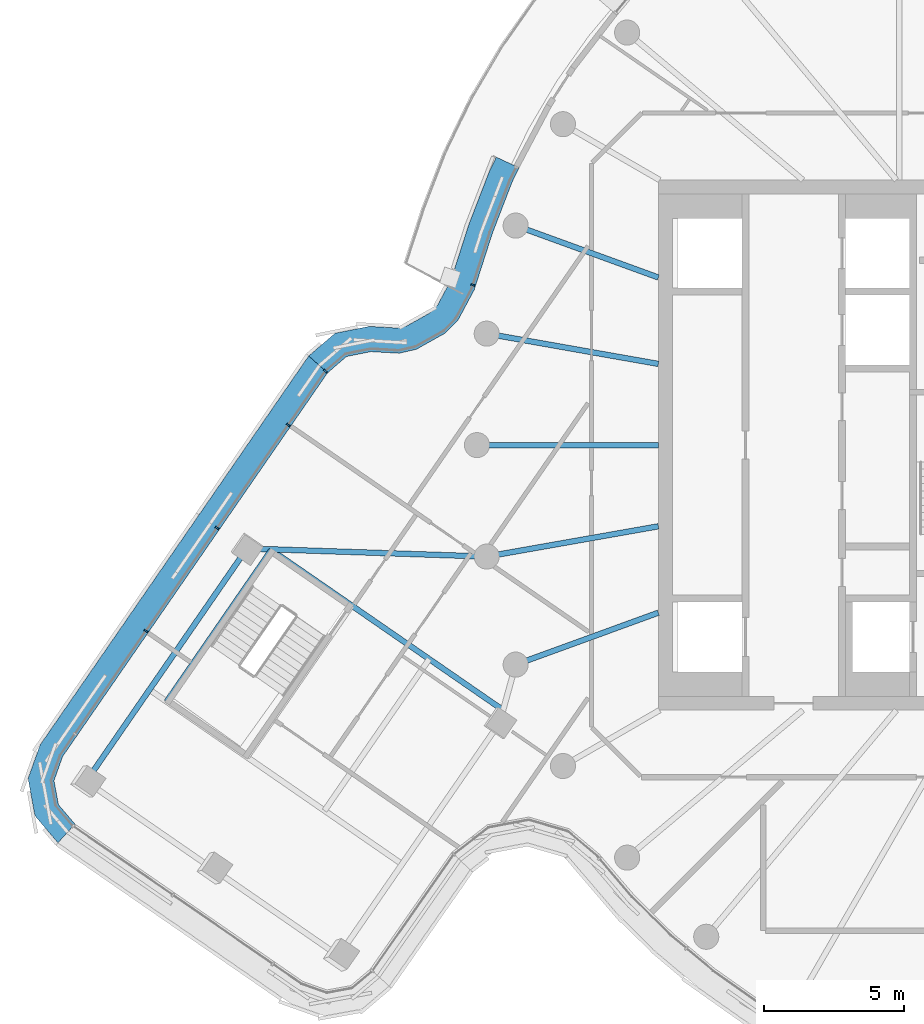
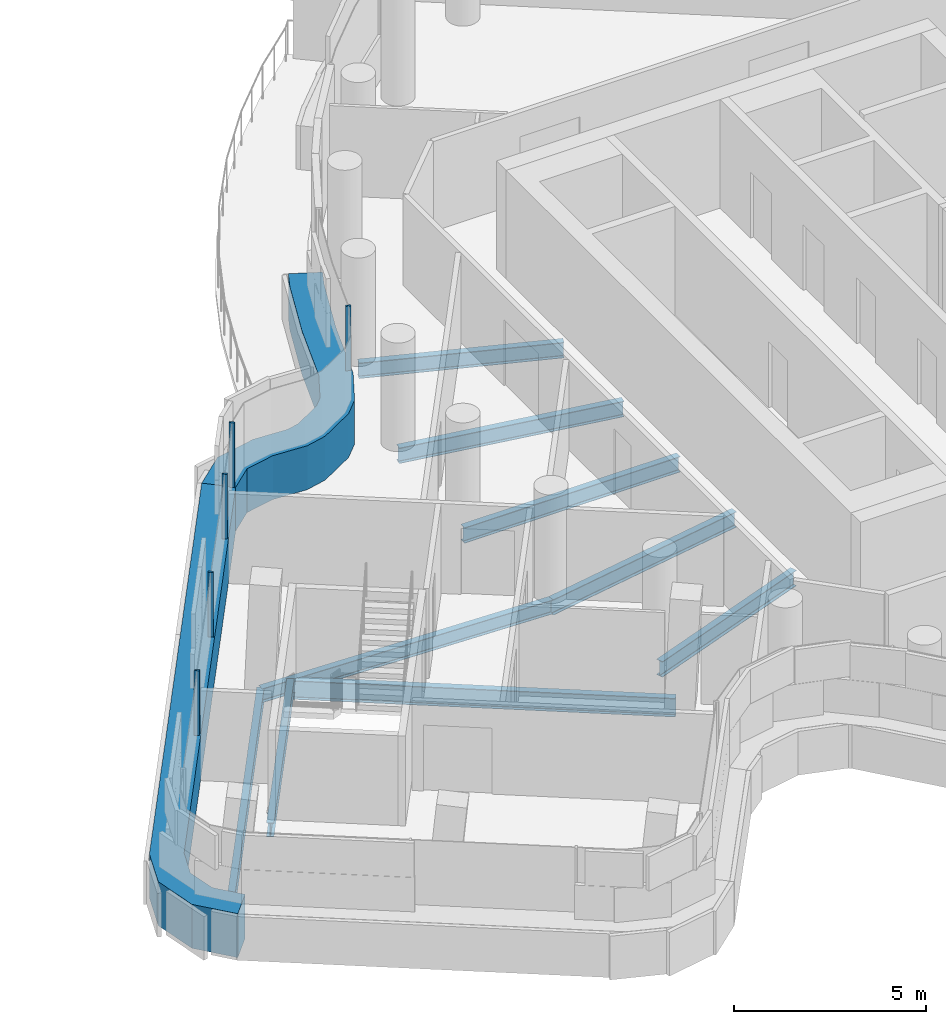
# One storey, part 4 of 26: 9 beams, 7 members, 2 elements without a shape of their own.
"""IFC4 building model written with IfcOpenShell, lengths in metres."""

from ifc_helpers import new_model, si_unit, direction, frame, origin, origin_2d, place, context, subcontext, project, spatial, polyline, rectangle, i_section, outline, extrude, material, layer, layer_set, material_profile, profile_set, type_object, element, aggregate, save


model = new_model("IFC4")

# Units and contexts
model_context = context("Model", 3, precision=1e-05, world=origin(), true_north=direction((0.0, 1.0)))
body_context = subcontext(model_context, "Body", "Model", "MODEL_VIEW")
ifc_project = project(units=[si_unit("LENGTHUNIT", "METRE"), si_unit("AREAUNIT", "SQUARE_METRE"), si_unit("VOLUMEUNIT", "CUBIC_METRE"), si_unit("PLANEANGLEUNIT", "RADIAN"), si_unit("MASSUNIT", "GRAM", prefix="KILO")], contexts=[model_context])

# Site, building, storey
site_placement = place(None, origin())
site = spatial("IfcSite", under=ifc_project, at=site_placement, CompositionType="ELEMENT")
building_placement = place(site_placement, origin())
building = spatial("IfcBuilding", under=site, at=building_placement, Name="Tamarind Cross Interchange Tower", CompositionType="ELEMENT")
storey_placement = place(building_placement, frame((0.0, 0.0, 234.300048828125)))
storey = spatial("IfcBuildingStorey", under=building, at=storey_placement, Name="L59", CompositionType="ELEMENT", Elevation=234.300048828125)

# Beams
ifc_material_1 = material(Name="Steel Q355B", Category="steel")
ifc_material_profile_1 = material_profile(ifc_material_1, i_section(OverallWidth=0.198974609375, OverallDepth=0.446044921875, WebThickness=0.008056640625, FlangeThickness=0.011962890625, FilletRadius=0.012939453125, at=origin_2d()), Name="HN 446x199x8x12")
ifc_profile_set_1 = profile_set([ifc_material_profile_1], Name="Steel Q355B")
beam_type_1 = type_object("IfcBeamType", Name="Composite beam HN 446x199x8x12 Q355B", PredefinedType="BEAM", material=ifc_profile_set_1)
beam_1_placement = place(storey_placement, frame((-37.005615234375, -12.0517578125, -0.363037109375), z_axis=(0.568212059893, 0.822882163491, 0.0), x_axis=(-0.822882163491, 0.568212059893, 0.0)))
element("IfcBeam", 1, at=beam_1_placement, inside=storey, type_object=beam_type_1, Name="Beam W-edgeem4", PredefinedType="BEAM", context=body_context, shape_type="SweptSolid", body=[
    extrude(i_section(OverallWidth=0.198974609375, OverallDepth=0.446044921875, WebThickness=0.008056640625, FlangeThickness=0.011962890625, FilletRadius=0.012939453125, at=origin_2d()), origin(), (0.0, 0.0, 1.0), 10.1435546875),
])
beam_2_placement = place(storey_placement, frame((-31.241943359375, -3.704833984375, -0.363037109375), z_axis=(0.999434456084, -0.03362689389, 0.0), x_axis=(0.03362689389, 0.999434456084, 0.0)))
element("IfcBeam", 2, at=beam_2_placement, inside=storey, type_object=beam_type_1, Name="Beam W-linkem", PredefinedType="BEAM", context=body_context, shape_type="SweptSolid", body=[
    extrude(i_section(OverallWidth=0.198974609375, OverallDepth=0.446044921875, WebThickness=0.008056640625, FlangeThickness=0.011962890625, FilletRadius=0.012939453125, at=origin_2d()), origin(), (0.0, 0.0, 1.0), 8.59619140625),
])
beam_3_placement = place(storey_placement, frame((-30.369140625, -3.7607421875, -0.363037109375), z_axis=(-0.568224711754, -0.822873427054, 0.0), x_axis=(0.822873427054, -0.568224711754, 0.0)))
element("IfcBeam", 3, at=beam_3_placement, inside=storey, type_object=beam_type_1, Name="Beam W-tr0", PredefinedType="BEAM", context=body_context, shape_type="SweptSolid", body=[
    extrude(i_section(OverallWidth=0.198974609375, OverallDepth=0.446044921875, WebThickness=0.008056640625, FlangeThickness=0.011962890625, FilletRadius=0.012939453125, at=origin_2d()), origin(), (0.0, 0.0, 1.0), 6.599853515625),
])
ifc_material_profile_2 = material_profile(ifc_material_1, i_section(OverallWidth=0.198974609375, OverallDepth=0.49609375, WebThickness=0.009033203125, FlangeThickness=0.013916015625, FilletRadius=0.012939453125, at=origin_2d()), Name="HN 496x199x9x14")
ifc_profile_set_2 = profile_set([ifc_material_profile_2], Name="Steel Q355B")
beam_type_2 = type_object("IfcBeamType", Name="Composite beam HN 496x199x9x14 Q355B", PredefinedType="BEAM", material=ifc_profile_set_2)
beam_4_placement = place(storey_placement, frame((-21.613037109375, 7.866455078125, -0.387939453125), z_axis=(0.939701685589, -0.341995236956, 0.0), x_axis=(0.341995236956, 0.939701685589, 0.0)))
element("IfcBeam", 4, at=beam_4_placement, inside=storey, type_object=beam_type_2, Name="Beam HH16", PredefinedType="BEAM", context=body_context, shape_type="SweptSolid", body=[
    extrude(i_section(OverallWidth=0.198974609375, OverallDepth=0.49609375, WebThickness=0.009033203125, FlangeThickness=0.013916015625, FilletRadius=0.012939453125, at=origin_2d()), origin(), (0.0, 0.0, 1.0), 5.441162109375),
])
beam_5_placement = place(storey_placement, frame((-22.650634765625, 3.993896484375, -0.387939453125), z_axis=(0.984809127561, -0.173640382036, 0.0), x_axis=(0.173640382036, 0.984809127561, 0.0)))
element("IfcBeam", 5, at=beam_5_placement, inside=storey, type_object=beam_type_2, Name="Beam HH17", PredefinedType="BEAM", context=body_context, shape_type="SweptSolid", body=[
    extrude(i_section(OverallWidth=0.198974609375, OverallDepth=0.49609375, WebThickness=0.009033203125, FlangeThickness=0.013916015625, FilletRadius=0.012939453125, at=origin_2d()), origin(), (0.0, 0.0, 1.0), 6.24560546875),
])
beam_6_placement = place(storey_placement, frame((-23.0, 0.0, -0.387939453125), z_axis=(1.0, 0.0, 0.0), x_axis=(0.0, 1.0, 0.0)))
element("IfcBeam", 6, at=beam_6_placement, inside=storey, type_object=beam_type_2, Name="Beam HH18", PredefinedType="BEAM", context=body_context, shape_type="SweptSolid", body=[
    extrude(i_section(OverallWidth=0.198974609375, OverallDepth=0.49609375, WebThickness=0.009033203125, FlangeThickness=0.013916015625, FilletRadius=0.012939453125, at=origin_2d()), origin(), (0.0, 0.0, 1.0), 6.5),
])
beam_7_placement = place(storey_placement, frame((-22.650634765625, -3.993896484375, -0.387939453125), z_axis=(0.984809127561, 0.173640382036, 0.0), x_axis=(-0.173640382036, 0.984809127561, 0.0)))
element("IfcBeam", 7, at=beam_7_placement, inside=storey, type_object=beam_type_2, Name="Beam HH19", PredefinedType="BEAM", context=body_context, shape_type="SweptSolid", body=[
    extrude(i_section(OverallWidth=0.198974609375, OverallDepth=0.49609375, WebThickness=0.009033203125, FlangeThickness=0.013916015625, FilletRadius=0.012939453125, at=origin_2d()), origin(), (0.0, 0.0, 1.0), 6.24560546875),
])
beam_8_placement = place(storey_placement, frame((-21.613037109375, -7.866455078125, -0.387939453125), z_axis=(0.939701685589, 0.341995236956, 0.0), x_axis=(-0.341995236956, 0.939701685589, 0.0)))
element("IfcBeam", 8, at=beam_8_placement, inside=storey, type_object=beam_type_2, Name="Beam HH20", PredefinedType="BEAM", context=body_context, shape_type="SweptSolid", body=[
    extrude(i_section(OverallWidth=0.198974609375, OverallDepth=0.49609375, WebThickness=0.009033203125, FlangeThickness=0.013916015625, FilletRadius=0.012939453125, at=origin_2d()), origin(), (0.0, 0.0, 1.0), 5.441162109375),
])
ifc_material_profile_3 = material_profile(ifc_material_1, i_section(OverallWidth=0.198974609375, OverallDepth=0.595947265625, WebThickness=0.010009765625, FlangeThickness=0.014892578125, FilletRadius=0.012939453125, at=origin_2d()), Name="HN 596x199x10x15")
ifc_profile_set_3 = profile_set([ifc_material_profile_3], Name="Steel Q355B")
beam_type_3 = type_object("IfcBeamType", Name="Composite beam HN 596x199x10x15 Q355B", PredefinedType="BEAM", material=ifc_profile_set_3)
beam_9_placement = place(storey_placement, frame((-30.409423828125, -3.732666015625, -0.43798828125), z_axis=(0.822873586432, -0.568224480951, 0.0), x_axis=(0.568224480951, 0.822873586432, 0.0)))
element("IfcBeam", 9, at=beam_9_placement, inside=storey, type_object=beam_type_3, Name="Beam W-x298", PredefinedType="BEAM", context=body_context, shape_type="SweptSolid", body=[
    extrude(i_section(OverallWidth=0.198974609375, OverallDepth=0.595947265625, WebThickness=0.010009765625, FlangeThickness=0.014892578125, FilletRadius=0.012939453125, at=origin_2d()), origin(), (0.0, 0.0, 1.0), 10.142333984375),
])

# Curtain wall, member
ifc_material_2 = material(Name="Aluminium 6063-T6", Category="aluminium")
ifc_layer = layer(ifc_material_2, 0.139892578125)
ifc_layer_set = layer_set([ifc_layer], Name="Aluminium 6063-T6")
curtain_wall_type = type_object("IfcCurtainWallType", Name="Hotel curtain wall, 4.5 m bays", PredefinedType="NOTDEFINED", material=ifc_layer_set)
curtain_wall_1_placement = place(storey_placement, origin())
curtain_wall_1 = element("IfcCurtainWall", 10, at=curtain_wall_1_placement, inside=storey, type_object=curtain_wall_type, Name="CWS-L59-06", PredefinedType="NOTDEFINED")
ifc_material_3 = material(Name="Aluminium and insulated spandrel panel", Category="aluminium")
member_type_1 = type_object("IfcMemberType", Name="Floor-edge blade transom", PredefinedType="USERDEFINED", material=ifc_material_3)
member_1_placement = place(storey_placement, origin())
member_1 = element("IfcMember", 11, at=member_1_placement, type_object=member_type_1, Name="CWT-L59-06-1", ObjectType="TRANSOM", PredefinedType="USERDEFINED", context=body_context, shape_type="SweptSolid", body=[
    extrude(outline(polyline([(-21.490966796875, 9.941162109375), (-21.74072265625, 9.425048828125), (-22.446044921875, 7.59375), (-23.09912109375, 5.5615234375), (-23.68212890625, 4.4716796875), (-24.127197265625, 4.017822265625), (-25.171142578125, 3.4326171875), (-25.790771484375, 3.2900390625), (-26.797119140625, 3.3486328125), (-27.67578125, 3.17236328125), (-28.355224609375, 2.587890625), (-29.02978515625, 3.194580078125), (-28.083984375, 4.00830078125), (-26.860595703125, 4.25390625), (-25.8671875, 4.196044921875), (-25.498779296875, 4.28076171875), (-24.679443359375, 4.739990234375), (-24.4150390625, 5.009765625), (-23.93115234375, 5.914306640625), (-23.295166015625, 7.8935546875), (-22.567138671875, 9.783203125), (-22.30810546875, 10.319091796875), (-21.490966796875, 9.941162109375)])), origin(), (0.0, 0.0, 1.0), 1.39990234375),
])

curtain_wall_2_placement = place(storey_placement, origin())
curtain_wall_2 = element("IfcCurtainWall", 12, at=curtain_wall_2_placement, inside=storey, type_object=curtain_wall_type, Name="CWS-L59-07", PredefinedType="NOTDEFINED")
member_2_placement = place(storey_placement, origin())
member_2 = element("IfcMember", 13, at=member_2_placement, type_object=member_type_1, Name="CWT-L59-07", ObjectType="TRANSOM", PredefinedType="USERDEFINED", context=body_context, shape_type="SweptSolid", body=[
    extrude(outline(polyline([(-28.355224609375, 2.587890625), (-37.8486328125, -11.160400390625), (-38.156005859375, -12.022705078125), (-37.99853515625, -12.8828125), (-37.405517578125, -13.580322265625), (-38.014404296875, -14.25341796875), (-38.84033203125, -13.2822265625), (-39.084716796875, -11.947509765625), (-38.656494140625, -10.74658203125), (-29.02978515625, 3.194580078125), (-28.355224609375, 2.587890625)])), origin(), (0.0, 0.0, 1.0), 1.39990234375),
])

# Member
ifc_material_profile_4 = material_profile(ifc_material_2, rectangle(XDim=0.06005859375, YDim=0.139892578125, at=origin_2d()), Name="Mullion CW2")
ifc_profile_set_4 = profile_set([ifc_material_profile_4], Name="Aluminium 6063-T6")
member_type_2 = type_object("IfcMemberType", Name="Mullion CW2", PredefinedType="MULLION", material=ifc_profile_set_4)
member_3_placement = place(storey_placement, frame((-23.146728515625, 5.740478515625, 1.39990234375), z_axis=(0.0, 0.0, 1.0), x_axis=(-0.305955207964, -0.952045907885, 0.0)))
member_3 = element("IfcMember", 14, at=member_3_placement, type_object=member_type_2, Name="CWM-L59-06-04", PredefinedType="MULLION", context=body_context, shape_type="SweptSolid", body=[
    extrude(rectangle(XDim=0.06005859375, YDim=0.139892578125, at=origin_2d()), origin(), (0.0, 0.0, 1.0), 2.06005859375),
])

aggregate(curtain_wall_1, [member_3, member_1])

member_4_placement = place(storey_placement, frame((-28.43017578125, 2.6552734375, 1.39990234375), z_axis=(0.0, 0.0, 1.0), x_axis=(-0.668656325217, -0.743571596249, 0.0)))
member_4 = element("IfcMember", 15, at=member_4_placement, type_object=member_type_2, Name="CWM-L59-07-00", PredefinedType="MULLION", context=body_context, shape_type="SweptSolid", body=[
    extrude(rectangle(XDim=0.06005859375, YDim=0.139892578125, at=origin_2d()), origin(), (0.0, 0.0, 1.0), 2.06005859375),
])

member_5_placement = place(storey_placement, frame((-29.765380859375, 0.7216796875, 1.39990234375), z_axis=(0.0, 0.0, 1.0), x_axis=(-0.56821146922, -0.822882571359, 0.0)))
member_5 = element("IfcMember", 16, at=member_5_placement, type_object=member_type_2, Name="CWM-L59-07-01", PredefinedType="MULLION", context=body_context, shape_type="SweptSolid", body=[
    extrude(rectangle(XDim=0.06005859375, YDim=0.139892578125, at=origin_2d()), origin(), (0.0, 0.0, 1.0), 2.06005859375),
])

member_6_placement = place(storey_placement, frame((-32.314208984375, -2.9697265625, 1.39990234375), z_axis=(0.0, 0.0, 1.0), x_axis=(-0.56821146922, -0.822882571359, 0.0)))
member_6 = element("IfcMember", 17, at=member_6_placement, type_object=member_type_2, Name="CWM-L59-07-02", PredefinedType="MULLION", context=body_context, shape_type="SweptSolid", body=[
    extrude(rectangle(XDim=0.06005859375, YDim=0.139892578125, at=origin_2d()), origin(), (0.0, 0.0, 1.0), 2.06005859375),
])

member_7_placement = place(storey_placement, frame((-34.86328125, -6.661376953125, 1.39990234375), z_axis=(0.0, 0.0, 1.0), x_axis=(-0.56821146922, -0.822882571359, 0.0)))
member_7 = element("IfcMember", 18, at=member_7_placement, type_object=member_type_2, Name="CWM-L59-07-03", PredefinedType="MULLION", context=body_context, shape_type="SweptSolid", body=[
    extrude(rectangle(XDim=0.06005859375, YDim=0.139892578125, at=origin_2d()), origin(), (0.0, 0.0, 1.0), 2.06005859375),
])

aggregate(curtain_wall_2, [member_4, member_5, member_6, member_7, member_2])

save(model, "model.ifc")
